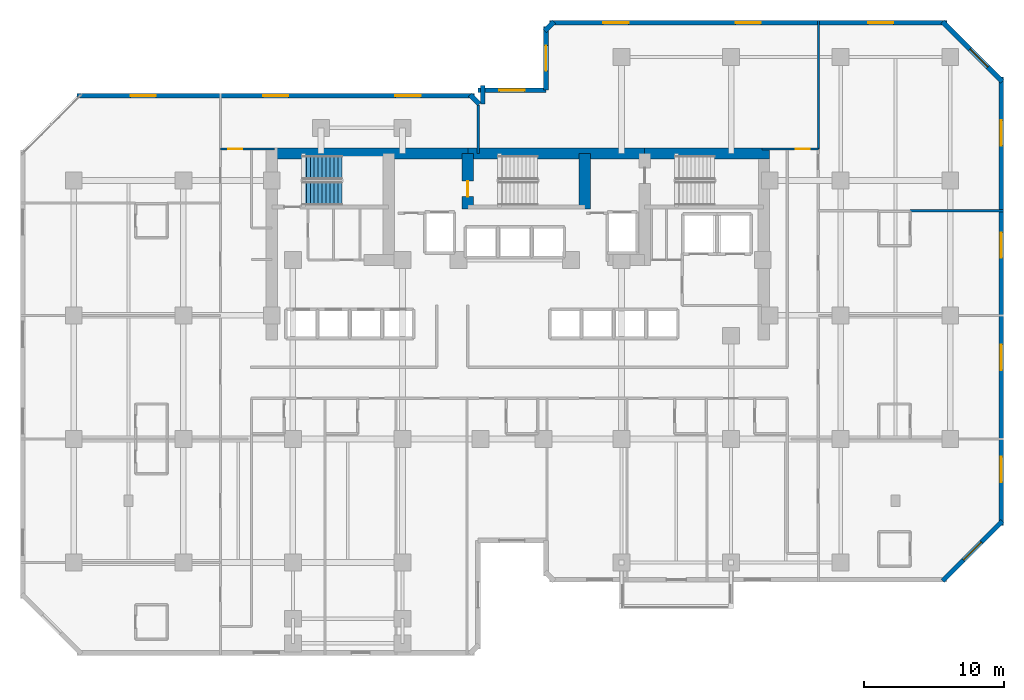
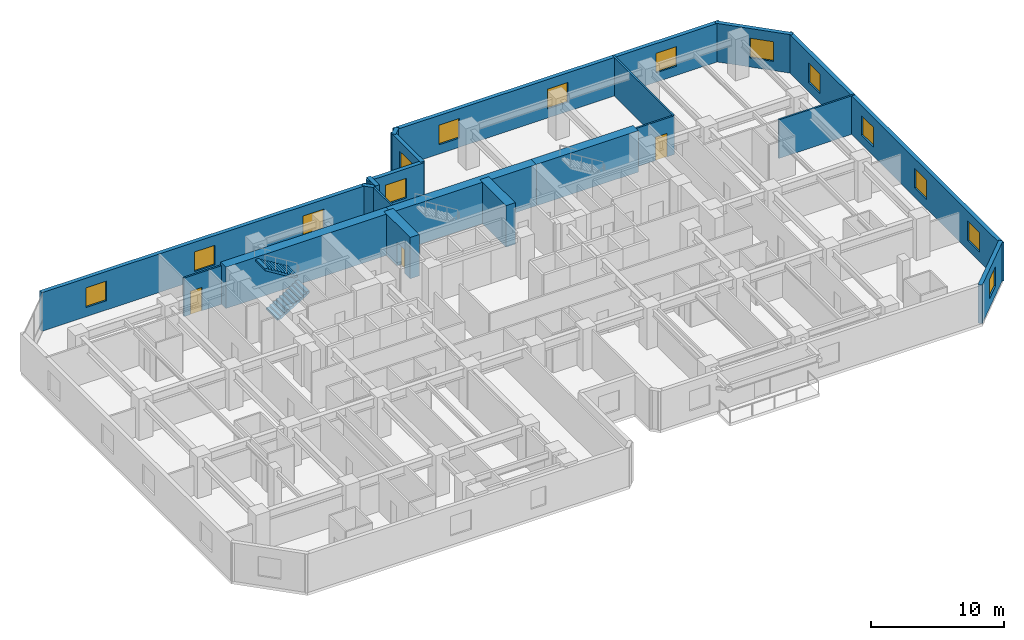
# One storey, part 9 of 12: 20 walls, 14 windows, 3 doors, 2 stair flights, 17 openings, 1 element without a shape of its own.
"""IFC4 building model written with IfcOpenShell, lengths in metres."""

import ifcopenshell
import ifcopenshell.guid

model = None  # the IFC model being written
_history = None  # IfcOwnerHistory: only IFC2X3 demands one
_inside = {}  # id of a spatial element -> (the spatial element, [elements in it])
_under = {}  # id of a project, library or spatial element -> (it, [spatial elements below it])
_declared = {}  # id of a project -> (the project, [libraries it declares])
_typed = {}  # id of a type object -> (the type object, [elements of that type])
_made_of = {}  # id of a material, layer set ... -> (it, [elements and type objects made of it])


def new_model(schema):
    """Start an empty IFC model of exactly this schema.

    Asked for "IFC4X3", IfcOpenShell would pick the latest addendum, in which some entities
    have other attributes; the version numbers below select the first issue.
    IFC2X3 requires an IfcOwnerHistory on every rooted entity: one is made here for all.
    """
    global model, _history
    if schema == "IFC4X3":
        model = ifcopenshell.file(schema_version=(4, 3, 0, 0))
    else:
        model = ifcopenshell.file(schema=schema)
    _inside.clear()
    _under.clear()
    _declared.clear()
    _typed.clear()
    _made_of.clear()
    _history = None
    if model.schema == "IFC2X3":
        org = make("IfcOrganization", Name="unknown")
        user = make(
            "IfcPersonAndOrganization",
            ThePerson=make("IfcPerson", FamilyName="unknown"),
            TheOrganization=org,
        )
        app = make(
            "IfcApplication",
            ApplicationDeveloper=org,
            Version="unknown",
            ApplicationFullName="unknown",
            ApplicationIdentifier="unknown",
        )
        _history = make(
            "IfcOwnerHistory",
            OwningUser=user,
            OwningApplication=app,
            ChangeAction="ADDED",
            CreationDate=0,
        )
    return model


def make(cls, **values):
    """One entity of the class cls with the attributes given. An attribute that is None is left unset."""
    return model.create_entity(
        cls, **{name: value for name, value in values.items() if value is not None}
    )


def rooted(cls, **values):
    """An entity with a GlobalId (a new one), such as an element, a storey or a relation."""
    return make(cls, GlobalId=ifcopenshell.guid.new(), OwnerHistory=_history, **values)


def si_unit(unit_type, name, prefix=None):
    """IfcSIUnit, for example si_unit("LENGTHUNIT", "METRE", prefix="MILLI")."""
    return make("IfcSIUnit", UnitType=unit_type, Prefix=prefix, Name=name)


def assignment(units):
    """IfcUnitAssignment: the units of a project."""
    return None if units is None else make("IfcUnitAssignment", Units=units)


def point(xyz):
    """IfcCartesianPoint."""
    return None if xyz is None else make("IfcCartesianPoint", Coordinates=xyz)


def direction(xyz):
    """IfcDirection."""
    return None if xyz is None else make("IfcDirection", DirectionRatios=xyz)


def frame(location, z_axis=None, x_axis=None):
    """IfcAxis2Placement3D, a coordinate frame: its origin and axes. An axis left out is left unset."""
    return make(
        "IfcAxis2Placement3D",
        Location=point(location),
        Axis=direction(z_axis),
        RefDirection=direction(x_axis),
    )


def frame_2d(location, x_axis=None):
    """IfcAxis2Placement2D, a coordinate frame in the plane: its origin and x axis."""
    return make(
        "IfcAxis2Placement2D", Location=point(location), RefDirection=direction(x_axis)
    )


def origin():
    """The frame at (0, 0, 0) with its axes left unset."""
    return frame((0.0, 0.0, 0.0))


def place(relative_to, where):
    """IfcLocalPlacement: puts the frame where relative to a parent placement (None: the world)."""
    return make(
        "IfcLocalPlacement", PlacementRelTo=relative_to, RelativePlacement=where
    )


def context(
    kind, dimensions, precision=None, world=None, true_north=None, identifier=None
):
    """IfcGeometricRepresentationContext, for example the 3D "Model" context."""
    return make(
        "IfcGeometricRepresentationContext",
        ContextIdentifier=identifier,
        ContextType=kind,
        CoordinateSpaceDimension=dimensions,
        Precision=precision,
        WorldCoordinateSystem=world,
        TrueNorth=true_north,
    )


def subcontext(parent, identifier, kind, view, scale=None):
    """IfcGeometricRepresentationSubContext, for example "Body" below "Model"."""
    return make(
        "IfcGeometricRepresentationSubContext",
        ContextIdentifier=identifier,
        ContextType=kind,
        ParentContext=parent,
        TargetScale=scale,
        TargetView=view,
    )


def project(units=None, contexts=None):
    """IfcProject with its units and contexts."""
    return rooted(
        "IfcProject",
        Name="project",
        RepresentationContexts=contexts,
        UnitsInContext=assignment(units),
    )


def spatial(cls, under=None, at=None, **own):
    """A site, building, storey or space (cls), placed at a placement, below another one or the project."""
    s = rooted(cls, ObjectPlacement=at, **own)
    if under is not None:
        _under.setdefault(under.id(), (under, []))[1].append(s)
    return s


def polyline(points):
    """IfcPolyline through the points."""
    return make("IfcPolyline", Points=[point(p) for p in points])


def profile(cls, at=None, kind="AREA", **sizes):
    """A parametric profile (cls). Its sizes go by their IFC names, for example OverallWidth=200.0."""
    return make(cls, ProfileType=kind, Position=at, **sizes)


def rectangle(**sizes):
    """IfcRectangleProfileDef."""
    return profile("IfcRectangleProfileDef", **sizes)


def outline(outer, holes=None, kind="AREA"):
    """IfcArbitraryClosedProfileDef: a profile drawn as a closed curve; with holes, ...WithVoids."""
    if holes is None:
        return make("IfcArbitraryClosedProfileDef", ProfileType=kind, OuterCurve=outer)
    return make(
        "IfcArbitraryProfileDefWithVoids",
        ProfileType=kind,
        OuterCurve=outer,
        InnerCurves=holes,
    )


def extrude(swept, where, along, depth):
    """IfcExtrudedAreaSolid: the profile swept, set in the frame where, extruded along a direction by depth."""
    return make(
        "IfcExtrudedAreaSolid",
        SweptArea=swept,
        Position=where,
        ExtrudedDirection=direction(along),
        Depth=depth,
    )


def shape(context_of_items, identifier, shape_type, items):
    """IfcShapeRepresentation: the items that make up one representation, for example the "Body"."""
    return make(
        "IfcShapeRepresentation",
        ContextOfItems=context_of_items,
        RepresentationIdentifier=identifier,
        RepresentationType=shape_type,
        Items=items,
    )


def material(Name=None, Category=None):
    """IfcMaterial."""
    return make("IfcMaterial", Name=Name, Category=Category)


def layer(
    of_material, thickness, ventilated=None, Name=None, Category=None, Priority=None
):
    """IfcMaterialLayer: one layer of a wall or slab, of a material (None: an air gap)."""
    return make(
        "IfcMaterialLayer",
        Material=of_material,
        LayerThickness=thickness,
        IsVentilated=ventilated,
        Name=Name,
        Category=Category,
        Priority=Priority,
    )


def layer_set(layers, Name=None):
    """IfcMaterialLayerSet."""
    return make("IfcMaterialLayerSet", MaterialLayers=layers, LayerSetName=Name)


def made_of(thing, what):
    """Note that an element or type object is made of a material, layer set ...; save() writes the relation."""
    if what is not None:
        _made_of.setdefault(what.id(), (what, []))[1].append(thing)
    return thing


def type_object(cls, material=None, **own):
    """A type object (cls), such as IfcWallType, which elements share."""
    return made_of(rooted(cls, **own), material)


def element(
    cls,
    number,
    at=None,
    inside=None,
    cuts=None,
    type_object=None,
    material=None,
    context=None,
    identifier="Body",
    shape_type=None,
    held_by="IfcProductDefinitionShape",
    body=None,
    shapes=None,
    **own,
):
    """One element of the class cls, such as IfcWall. Its Tag is "e" and its number.

    at: its placement. inside: the storey or other place that contains it. cuts: it is an
    opening in that element (IfcRelVoidsElement). A single representation is given by context,
    identifier, shape_type and body (its items); several are given by shapes. held_by: the class
    of the entity that holds the representations. save() writes the other relations.
    """
    e = rooted(cls, Tag="e%d" % number, ObjectPlacement=at, **own)
    if body is not None:
        shapes = [shape(context, identifier, shape_type, body)]
    if shapes is not None:
        e.Representation = make(held_by, Representations=shapes)
    if inside is not None:
        _inside.setdefault(inside.id(), (inside, []))[1].append(e)
    if cuts is not None:
        rooted(
            "IfcRelVoidsElement", RelatingBuildingElement=cuts, RelatedOpeningElement=e
        )
    if type_object is not None:
        _typed.setdefault(type_object.id(), (type_object, []))[1].append(e)
    return made_of(e, material)


def fill(opening, filler):
    """IfcRelFillsElement: the door or window that sits in an opening."""
    return rooted(
        "IfcRelFillsElement",
        RelatingOpeningElement=opening,
        RelatedBuildingElement=filler,
    )


def aggregate(whole, parts):
    """IfcRelAggregates: a whole, such as a stair, and the parts it consists of."""
    return rooted("IfcRelAggregates", RelatingObject=whole, RelatedObjects=parts)


def save(model, path):
    """Write the relations noted so far, then the file.

    IfcRelAggregates (storeys below a building ...), IfcRelContainedInSpatialStructure (elements
    in a storey), IfcRelDefinesByType, IfcRelAssociatesMaterial and IfcRelDeclares: one each for
    every whole, place, type object, material and project.
    """
    for whole, parts in _under.values():
        aggregate(whole, parts)
    for where, things in _inside.values():
        rooted(
            "IfcRelContainedInSpatialStructure",
            RelatedElements=things,
            RelatingStructure=where,
        )
    for kind, things in _typed.values():
        rooted("IfcRelDefinesByType", RelatedObjects=things, RelatingType=kind)
    for what, things in _made_of.values():
        rooted("IfcRelAssociatesMaterial", RelatedObjects=things, RelatingMaterial=what)
    for by, libraries in _declared.values():
        rooted("IfcRelDeclares", RelatingContext=by, RelatedDefinitions=libraries)
    model.write(path)


model = new_model("IFC4")

# Units and contexts
model_context = context("Model", 3, precision=1e-05, world=origin(), true_north=direction((0.0, 1.0)))
body_context = subcontext(model_context, "Body", "Model", "MODEL_VIEW")
ifc_project = project(units=[si_unit("LENGTHUNIT", "METRE"), si_unit("AREAUNIT", "SQUARE_METRE"), si_unit("VOLUMEUNIT", "CUBIC_METRE"), si_unit("PLANEANGLEUNIT", "RADIAN"), si_unit("MASSUNIT", "GRAM", prefix="KILO")], contexts=[model_context])

# Site, building, storey
site_placement = place(None, origin())
site = spatial("IfcSite", under=ifc_project, at=site_placement, CompositionType="ELEMENT")
building_placement = place(site_placement, origin())
building = spatial("IfcBuilding", under=site, at=building_placement, Name="Kestravale Grand Hotel", CompositionType="ELEMENT")
storey_placement = place(building_placement, frame((0.0, 0.0, 122.199951171875)))
storey = spatial("IfcBuildingStorey", under=building, at=storey_placement, Name="L30", CompositionType="ELEMENT", Elevation=122.199951171875)

# Walls
ifc_material_1 = material(Name="Concrete f'c 60 MPa", Category="concrete")
ifc_layer_1 = layer(ifc_material_1, 0.800048828125)
ifc_layer_set_1 = layer_set([ifc_layer_1], Name="EW-CORE-800")
wall_type_1 = type_object("IfcWallType", Name="EW-CORE-800", PredefinedType="SHEAR", material=ifc_layer_set_1)
wall_1_placement = place(storey_placement, frame((21.5, 40.320068359375, 0.0), z_axis=(0.0, 0.0, 1.0), x_axis=(1.0, 0.0, 0.0)))
element("IfcWall", 1, at=wall_1_placement, inside=storey, type_object=wall_type_1, Name="L30 core shear wall N1", PredefinedType="SHEAR", context=body_context, shape_type="SweptSolid", body=[
    extrude(rectangle(XDim=14.35009765625, YDim=0.800048828125, at=frame_2d((7.175048828125, 0.0))), origin(), (0.0, 0.0, 1.0), 3.800048828125),
])
wall_2_placement = place(storey_placement, frame((35.85009765625, 40.320068359375, 0.0), z_axis=(0.0, 0.0, 1.0), x_axis=(1.0, 0.0, 0.0)))
element("IfcWall", 2, at=wall_2_placement, inside=storey, type_object=wall_type_1, Name="L30 core shear wall N2", PredefinedType="SHEAR", context=body_context, shape_type="SweptSolid", body=[
    extrude(rectangle(XDim=12.599853515625, YDim=0.800048828125, at=frame_2d((6.2998046875, 0.0))), origin(), (0.0, 0.0, 1.0), 3.800048828125),
])
wall_3_placement = place(storey_placement, frame((48.449951171875, 40.320068359375, 0.0), z_axis=(0.0, 0.0, 1.0), x_axis=(1.0, 0.0, 0.0)))
element("IfcWall", 3, at=wall_3_placement, inside=storey, type_object=wall_type_1, Name="L30 core shear wall N3", PredefinedType="SHEAR", context=body_context, shape_type="SweptSolid", body=[
    extrude(rectangle(XDim=8.8701171875, YDim=0.800048828125, at=frame_2d((4.43505859375, 0.0))), origin(), (0.0, 0.0, 1.0), 3.800048828125),
])

# Wall, opening, door
wall_4_placement = place(storey_placement, frame((35.85009765625, 36.3701171875, 0.0), z_axis=(0.0, 0.0, 1.0), x_axis=(0.0, 1.0, 0.0)))
wall_4 = element("IfcWall", 4, at=wall_4_placement, inside=storey, type_object=wall_type_1, Name="L30 core shear wall X2", PredefinedType="SHEAR", context=body_context, shape_type="SweptSolid", body=[
    extrude(rectangle(XDim=3.949951171875, YDim=0.800048828125, at=frame_2d((1.97509765625, 0.0))), origin(), (0.0, 0.0, 1.0), 3.800048828125),
])
opening_1_placement = place(wall_4_placement, frame((0.8798828125, 0.0, 0.0)))
opening_1 = element("IfcOpeningElement", 5, at=opening_1_placement, cuts=wall_4, Name="Opening D-ST-1100", PredefinedType="OPENING", context=body_context, shape_type="SweptSolid", body=[
    extrude(rectangle(XDim=1.10009765625, YDim=2.14990234375, at=frame_2d((0.550048828125, 1.074951171875))), frame((0.0, 0.409912109375, 0.0), z_axis=(0.0, -1.0, 0.0), x_axis=(1.0, 0.0, 0.0)), (0.0, 0.0, 1.0), 0.820068359375),
])
ifc_material_2 = material(Name="Galvanised 90-minute fire-rated steel stair door", Category="steel")
door_type_1 = type_object("IfcDoorType", Name="D-ST-1100", OperationType="NOTDEFINED", PredefinedType="DOOR", material=ifc_material_2)
door_1_placement = place(opening_1_placement, origin())
door_1 = element("IfcDoor", 6, at=door_1_placement, inside=storey, type_object=door_type_1, Name="L30 Stair ST-2 FSAE fire door", OperationType="SINGLE_SWING_RIGHT", OverallHeight=2.14990234375, OverallWidth=1.10009765625, PredefinedType="DOOR", context=body_context, shape_type="SweptSolid", body=[
    extrude(rectangle(XDim=1.10009765625, YDim=2.14990234375, at=frame_2d((0.550048828125, 1.074951171875))), frame((0.0, 0.02490234375, 0.0), z_axis=(0.0, -1.0, 0.0), x_axis=(1.0, 0.0, 0.0)), (0.0, 0.0, 1.0), 0.050048828125),
])
fill(opening_1, door_1)

# Wall
wall_5_placement = place(storey_placement, frame((44.179931640625, 36.3701171875, 0.0), z_axis=(0.0, 0.0, 1.0), x_axis=(0.0, 1.0, 0.0)))
element("IfcWall", 7, at=wall_5_placement, inside=storey, type_object=wall_type_1, Name="L30 core shear wall X3", PredefinedType="SHEAR", context=body_context, shape_type="SweptSolid", body=[
    extrude(rectangle(XDim=3.949951171875, YDim=0.800048828125, at=frame_2d((1.97509765625, 0.0))), origin(), (0.0, 0.0, 1.0), 3.800048828125),
])

# Wall, opening, window
ifc_material_3 = material(Name="Precast concrete f'c 45 MPa", Category="concrete")
ifc_layer_2 = layer(ifc_material_3, 0.340087890625)
ifc_layer_set_2 = layer_set([ifc_layer_2], Name="EW-PREC-340")
wall_type_2 = type_object("IfcWallType", Name="EW-PREC-340", PredefinedType="SOLIDWALL", material=ifc_layer_set_2)
wall_6_placement = place(storey_placement, frame((69.651611328125, 9.891845703125, 0.0), z_axis=(0.0, 0.0, 1.0), x_axis=(0.707106781187, 0.707106781187, 0.0)))
wall_6 = element("IfcWall", 8, at=wall_6_placement, inside=storey, type_object=wall_type_2, Name="L30 fluted precast facade wall 8", PredefinedType="SOLIDWALL", context=body_context, shape_type="SweptSolid", body=[
    extrude(rectangle(XDim=6.019775390625, YDim=0.340087890625, at=frame_2d((3.009765625, 0.0))), origin(), (0.0, 0.0, 1.0), 3.5400390625),
])
opening_2_placement = place(wall_6_placement, frame((2.10986328125, 0.0, 0.85009765625)))
opening_2 = element("IfcOpeningElement", 9, at=opening_2_placement, cuts=wall_6, Name="Opening W-GUEST-1800", PredefinedType="OPENING", context=body_context, shape_type="SweptSolid", body=[
    extrude(rectangle(XDim=1.800048828125, YDim=1.800048828125, at=frame_2d((0.89990234375, 0.89990234375))), frame((0.0, 0.179931640625, 0.0), z_axis=(0.0, -1.0, 0.0), x_axis=(1.0, 0.0, 0.0)), (0.0, 0.0, 1.0), 0.360107421875),
])
ifc_material_4 = material(Name="Insulated low-E double glazing in aluminium frame", Category="aluminium")
window_type = type_object("IfcWindowType", Name="W-GUEST-1800", PartitioningType="DOUBLE_PANEL_VERTICAL", PredefinedType="WINDOW", material=ifc_material_4)
window_1_placement = place(opening_2_placement, origin())
window_1 = element("IfcWindow", 10, at=window_1_placement, inside=storey, type_object=window_type, Name="L30 exterior window 8.1", OverallHeight=1.800048828125, OverallWidth=1.800048828125, PartitioningType="SINGLE_PANEL", PredefinedType="WINDOW", context=body_context, shape_type="SweptSolid", body=[
    extrude(rectangle(XDim=1.800048828125, YDim=1.800048828125, at=frame_2d((0.89990234375, 0.89990234375))), frame((0.0, 0.030029296875, 0.0), z_axis=(0.0, -1.0, 0.0), x_axis=(1.0, 0.0, 0.0)), (0.0, 0.0, 1.0), 0.06005859375),
])
fill(opening_2, window_1)

# Wall, openings, windows
wall_7_placement = place(storey_placement, frame((73.830078125, 13.830078125, 0.0), z_axis=(0.0, 0.0, 1.0), x_axis=(0.0, 1.0, 0.0)))
wall_7 = element("IfcWall", 11, at=wall_7_placement, inside=storey, type_object=wall_type_2, Name="L30 fluted precast facade wall 9", PredefinedType="SOLIDWALL", context=body_context, shape_type="SweptSolid", body=[
    extrude(rectangle(XDim=31.93994140625, YDim=0.340087890625, at=frame_2d((15.969970703125, 0.0))), origin(), (0.0, 0.0, 1.0), 3.5400390625),
])
opening_3_placement = place(wall_7_placement, frame((3.092529296875, 0.0, 0.85009765625)))
opening_3 = element("IfcOpeningElement", 12, at=opening_3_placement, cuts=wall_7, Name="Opening W-GUEST-1800", PredefinedType="OPENING", context=body_context, shape_type="SweptSolid", body=[
    extrude(rectangle(XDim=1.800048828125, YDim=1.800048828125, at=frame_2d((0.89990234375, 0.89990234375))), frame((0.0, 0.179931640625, 0.0), z_axis=(0.0, -1.0, 0.0), x_axis=(1.0, 0.0, 0.0)), (0.0, 0.0, 1.0), 0.360107421875),
])
opening_4_placement = place(wall_7_placement, frame((11.077392578125, 0.0, 0.85009765625)))
opening_4 = element("IfcOpeningElement", 13, at=opening_4_placement, cuts=wall_7, Name="Opening W-GUEST-1800", PredefinedType="OPENING", context=body_context, shape_type="SweptSolid", body=[
    extrude(rectangle(XDim=1.800048828125, YDim=1.800048828125, at=frame_2d((0.89990234375, 0.89990234375))), frame((0.0, 0.179931640625, 0.0), z_axis=(0.0, -1.0, 0.0), x_axis=(1.0, 0.0, 0.0)), (0.0, 0.0, 1.0), 0.360107421875),
])
opening_5_placement = place(wall_7_placement, frame((19.0625, 0.0, 0.85009765625)))
opening_5 = element("IfcOpeningElement", 14, at=opening_5_placement, cuts=wall_7, Name="Opening W-GUEST-1800", PredefinedType="OPENING", context=body_context, shape_type="SweptSolid", body=[
    extrude(rectangle(XDim=1.800048828125, YDim=1.800048828125, at=frame_2d((0.89990234375, 0.89990234375))), frame((0.0, 0.179931640625, 0.0), z_axis=(0.0, -1.0, 0.0), x_axis=(1.0, 0.0, 0.0)), (0.0, 0.0, 1.0), 0.360107421875),
])
opening_6_placement = place(wall_7_placement, frame((27.047607421875, 0.0, 0.85009765625)))
opening_6 = element("IfcOpeningElement", 15, at=opening_6_placement, cuts=wall_7, Name="Opening W-GUEST-1800", PredefinedType="OPENING", context=body_context, shape_type="SweptSolid", body=[
    extrude(rectangle(XDim=1.800048828125, YDim=1.800048828125, at=frame_2d((0.89990234375, 0.89990234375))), frame((0.0, 0.179931640625, 0.0), z_axis=(0.0, -1.0, 0.0), x_axis=(1.0, 0.0, 0.0)), (0.0, 0.0, 1.0), 0.360107421875),
])
window_2_placement = place(opening_3_placement, origin())
window_2 = element("IfcWindow", 16, at=window_2_placement, inside=storey, type_object=window_type, Name="L30 exterior window 9.1", OverallHeight=1.800048828125, OverallWidth=1.800048828125, PartitioningType="SINGLE_PANEL", PredefinedType="WINDOW", context=body_context, shape_type="SweptSolid", body=[
    extrude(rectangle(XDim=1.800048828125, YDim=1.800048828125, at=frame_2d((0.89990234375, 0.89990234375))), frame((0.0, 0.030029296875, 0.0), z_axis=(0.0, -1.0, 0.0), x_axis=(1.0, 0.0, 0.0)), (0.0, 0.0, 1.0), 0.06005859375),
])
fill(opening_3, window_2)
window_3_placement = place(opening_4_placement, origin())
window_3 = element("IfcWindow", 17, at=window_3_placement, inside=storey, type_object=window_type, Name="L30 exterior window 9.2", OverallHeight=1.800048828125, OverallWidth=1.800048828125, PartitioningType="SINGLE_PANEL", PredefinedType="WINDOW", context=body_context, shape_type="SweptSolid", body=[
    extrude(rectangle(XDim=1.800048828125, YDim=1.800048828125, at=frame_2d((0.89990234375, 0.89990234375))), frame((0.0, 0.030029296875, 0.0), z_axis=(0.0, -1.0, 0.0), x_axis=(1.0, 0.0, 0.0)), (0.0, 0.0, 1.0), 0.06005859375),
])
fill(opening_4, window_3)
window_4_placement = place(opening_5_placement, origin())
window_4 = element("IfcWindow", 18, at=window_4_placement, inside=storey, type_object=window_type, Name="L30 exterior window 9.3", OverallHeight=1.800048828125, OverallWidth=1.800048828125, PartitioningType="SINGLE_PANEL", PredefinedType="WINDOW", context=body_context, shape_type="SweptSolid", body=[
    extrude(rectangle(XDim=1.800048828125, YDim=1.800048828125, at=frame_2d((0.89990234375, 0.89990234375))), frame((0.0, 0.030029296875, 0.0), z_axis=(0.0, -1.0, 0.0), x_axis=(1.0, 0.0, 0.0)), (0.0, 0.0, 1.0), 0.06005859375),
])
fill(opening_5, window_4)
window_5_placement = place(opening_6_placement, origin())
window_5 = element("IfcWindow", 19, at=window_5_placement, inside=storey, type_object=window_type, Name="L30 exterior window 9.4", OverallHeight=1.800048828125, OverallWidth=1.800048828125, PartitioningType="SINGLE_PANEL", PredefinedType="WINDOW", context=body_context, shape_type="SweptSolid", body=[
    extrude(rectangle(XDim=1.800048828125, YDim=1.800048828125, at=frame_2d((0.89990234375, 0.89990234375))), frame((0.0, 0.030029296875, 0.0), z_axis=(0.0, -1.0, 0.0), x_axis=(1.0, 0.0, 0.0)), (0.0, 0.0, 1.0), 0.06005859375),
])
fill(opening_6, window_5)

# Wall, opening, window
wall_8_placement = place(storey_placement, frame((73.908203125, 45.451416015625, 0.0), z_axis=(0.0, 0.0, 1.0), x_axis=(-0.707106781187, 0.707106781187, 0.0)))
wall_8 = element("IfcWall", 20, at=wall_8_placement, inside=storey, type_object=wall_type_2, Name="L30 fluted precast facade wall 10", PredefinedType="SOLIDWALL", context=body_context, shape_type="SweptSolid", body=[
    extrude(rectangle(XDim=6.019775390625, YDim=0.340087890625, at=frame_2d((3.009765625, 0.0))), origin(), (0.0, 0.0, 1.0), 3.5400390625),
])
opening_7_placement = place(wall_8_placement, frame((1.4599609375, 0.0, 0.85009765625)))
opening_7 = element("IfcOpeningElement", 21, at=opening_7_placement, cuts=wall_8, Name="Opening W-GUEST-1800", PredefinedType="OPENING", context=body_context, shape_type="SweptSolid", body=[
    extrude(rectangle(XDim=1.800048828125, YDim=1.800048828125, at=frame_2d((0.89990234375, 0.89990234375))), frame((0.0, 0.179931640625, 0.0), z_axis=(0.0, -1.0, 0.0), x_axis=(1.0, 0.0, 0.0)), (0.0, 0.0, 1.0), 0.360107421875),
])
window_6_placement = place(opening_7_placement, origin())
window_6 = element("IfcWindow", 22, at=window_6_placement, inside=storey, type_object=window_type, Name="L30 exterior window 10.1", OverallHeight=1.800048828125, OverallWidth=1.800048828125, PartitioningType="SINGLE_PANEL", PredefinedType="WINDOW", context=body_context, shape_type="SweptSolid", body=[
    extrude(rectangle(XDim=1.800048828125, YDim=1.800048828125, at=frame_2d((0.89990234375, 0.89990234375))), frame((0.0, 0.030029296875, 0.0), z_axis=(0.0, -1.0, 0.0), x_axis=(1.0, 0.0, 0.0)), (0.0, 0.0, 1.0), 0.06005859375),
])
fill(opening_7, window_6)

# Wall, openings, windows
wall_9_placement = place(storey_placement, frame((69.969970703125, 49.6298828125, 0.0), z_axis=(0.0, 0.0, 1.0), x_axis=(-1.0, 0.0, 0.0)))
wall_9 = element("IfcWall", 23, at=wall_9_placement, inside=storey, type_object=wall_type_2, Name="L30 fluted precast facade wall 11", PredefinedType="SOLIDWALL", context=body_context, shape_type="SweptSolid", body=[
    extrude(rectangle(XDim=28.2900390625, YDim=0.340087890625, at=frame_2d((14.14501953125, 0.0))), origin(), (0.0, 0.0, 1.0), 3.5400390625),
])
opening_8_placement = place(wall_9_placement, frame((3.81494140625, 0.0, 0.85009765625)))
opening_8 = element("IfcOpeningElement", 24, at=opening_8_placement, cuts=wall_9, Name="Opening W-GUEST-1800", PredefinedType="OPENING", context=body_context, shape_type="SweptSolid", body=[
    extrude(rectangle(XDim=1.800048828125, YDim=1.800048828125, at=frame_2d((0.89990234375, 0.89990234375))), frame((0.0, 0.179931640625, 0.0), z_axis=(0.0, -1.0, 0.0), x_axis=(1.0, 0.0, 0.0)), (0.0, 0.0, 1.0), 0.360107421875),
])
opening_9_placement = place(wall_9_placement, frame((13.2451171875, 0.0, 0.85009765625)))
opening_9 = element("IfcOpeningElement", 25, at=opening_9_placement, cuts=wall_9, Name="Opening W-GUEST-1800", PredefinedType="OPENING", context=body_context, shape_type="SweptSolid", body=[
    extrude(rectangle(XDim=1.800048828125, YDim=1.800048828125, at=frame_2d((0.89990234375, 0.89990234375))), frame((0.0, 0.179931640625, 0.0), z_axis=(0.0, -1.0, 0.0), x_axis=(1.0, 0.0, 0.0)), (0.0, 0.0, 1.0), 0.360107421875),
])
opening_10_placement = place(wall_9_placement, frame((22.675048828125, 0.0, 0.85009765625)))
opening_10 = element("IfcOpeningElement", 26, at=opening_10_placement, cuts=wall_9, Name="Opening W-GUEST-1800", PredefinedType="OPENING", context=body_context, shape_type="SweptSolid", body=[
    extrude(rectangle(XDim=1.800048828125, YDim=1.800048828125, at=frame_2d((0.89990234375, 0.89990234375))), frame((0.0, 0.179931640625, 0.0), z_axis=(0.0, -1.0, 0.0), x_axis=(1.0, 0.0, 0.0)), (0.0, 0.0, 1.0), 0.360107421875),
])
window_7_placement = place(opening_8_placement, origin())
window_7 = element("IfcWindow", 27, at=window_7_placement, inside=storey, type_object=window_type, Name="L30 exterior window 11.1", OverallHeight=1.800048828125, OverallWidth=1.800048828125, PartitioningType="SINGLE_PANEL", PredefinedType="WINDOW", context=body_context, shape_type="SweptSolid", body=[
    extrude(rectangle(XDim=1.800048828125, YDim=1.800048828125, at=frame_2d((0.89990234375, 0.89990234375))), frame((0.0, 0.030029296875, 0.0), z_axis=(0.0, -1.0, 0.0), x_axis=(1.0, 0.0, 0.0)), (0.0, 0.0, 1.0), 0.06005859375),
])
fill(opening_8, window_7)
window_8_placement = place(opening_9_placement, origin())
window_8 = element("IfcWindow", 28, at=window_8_placement, inside=storey, type_object=window_type, Name="L30 exterior window 11.2", OverallHeight=1.800048828125, OverallWidth=1.800048828125, PartitioningType="SINGLE_PANEL", PredefinedType="WINDOW", context=body_context, shape_type="SweptSolid", body=[
    extrude(rectangle(XDim=1.800048828125, YDim=1.800048828125, at=frame_2d((0.89990234375, 0.89990234375))), frame((0.0, 0.030029296875, 0.0), z_axis=(0.0, -1.0, 0.0), x_axis=(1.0, 0.0, 0.0)), (0.0, 0.0, 1.0), 0.06005859375),
])
fill(opening_9, window_8)
window_9_placement = place(opening_10_placement, origin())
window_9 = element("IfcWindow", 29, at=window_9_placement, inside=storey, type_object=window_type, Name="L30 exterior window 11.3", OverallHeight=1.800048828125, OverallWidth=1.800048828125, PartitioningType="SINGLE_PANEL", PredefinedType="WINDOW", context=body_context, shape_type="SweptSolid", body=[
    extrude(rectangle(XDim=1.800048828125, YDim=1.800048828125, at=frame_2d((0.89990234375, 0.89990234375))), frame((0.0, 0.030029296875, 0.0), z_axis=(0.0, -1.0, 0.0), x_axis=(1.0, 0.0, 0.0)), (0.0, 0.0, 1.0), 0.06005859375),
])
fill(opening_10, window_9)

# Wall
wall_10_placement = place(storey_placement, frame((41.99853515625, 49.7080078125, 0.0), z_axis=(0.0, 0.0, 1.0), x_axis=(-0.707238225886, -0.706975312048, 0.0)))
element("IfcWall", 30, at=wall_10_placement, inside=storey, type_object=wall_type_2, Name="L30 fluted precast facade wall 12", PredefinedType="SOLIDWALL", context=body_context, shape_type="SweptSolid", body=[
    extrude(rectangle(XDim=0.9287109375, YDim=0.340087890625, at=frame_2d((0.46435546875, 0.0))), origin(), (0.0, 0.0, 1.0), 3.5400390625),
])

# Wall, opening, window
wall_11_placement = place(storey_placement, frame((41.419921875, 49.3701171875, 0.0), z_axis=(0.0, 0.0, 1.0), x_axis=(0.0, -1.0, 0.0)))
wall_11 = element("IfcWall", 31, at=wall_11_placement, inside=storey, type_object=wall_type_2, Name="L30 fluted precast facade wall 13", PredefinedType="SOLIDWALL", context=body_context, shape_type="SweptSolid", body=[
    extrude(rectangle(XDim=4.5400390625, YDim=0.340087890625, at=frame_2d((2.27001953125, 0.0))), origin(), (0.0, 0.0, 1.0), 3.5400390625),
])
opening_11_placement = place(wall_11_placement, frame((1.3701171875, 0.0, 0.85009765625)))
opening_11 = element("IfcOpeningElement", 32, at=opening_11_placement, cuts=wall_11, Name="Opening W-GUEST-1800", PredefinedType="OPENING", context=body_context, shape_type="SweptSolid", body=[
    extrude(rectangle(XDim=1.800048828125, YDim=1.800048828125, at=frame_2d((0.89990234375, 0.89990234375))), frame((0.0, 0.179931640625, 0.0), z_axis=(0.0, -1.0, 0.0), x_axis=(1.0, 0.0, 0.0)), (0.0, 0.0, 1.0), 0.360107421875),
])
window_10_placement = place(opening_11_placement, origin())
window_10 = element("IfcWindow", 33, at=window_10_placement, inside=storey, type_object=window_type, Name="L30 exterior window 13.1", OverallHeight=1.800048828125, OverallWidth=1.800048828125, PartitioningType="SINGLE_PANEL", PredefinedType="WINDOW", context=body_context, shape_type="SweptSolid", body=[
    extrude(rectangle(XDim=1.800048828125, YDim=1.800048828125, at=frame_2d((0.89990234375, 0.89990234375))), frame((0.0, 0.030029296875, 0.0), z_axis=(0.0, -1.0, 0.0), x_axis=(1.0, 0.0, 0.0)), (0.0, 0.0, 1.0), 0.06005859375),
])
fill(opening_11, window_10)

wall_12_placement = place(storey_placement, frame((41.419921875, 44.830078125, 0.0), z_axis=(0.0, 0.0, 1.0), x_axis=(-1.0, 0.0, 0.0)))
wall_12 = element("IfcWall", 34, at=wall_12_placement, inside=storey, type_object=wall_type_2, Name="L30 fluted precast facade wall 14", PredefinedType="SOLIDWALL", context=body_context, shape_type="SweptSolid", body=[
    extrude(rectangle(XDim=4.83984375, YDim=0.340087890625, at=frame_2d((2.419921875, 0.0))), origin(), (0.0, 0.0, 1.0), 3.5400390625),
])
opening_12_placement = place(wall_12_placement, frame((1.52001953125, 0.0, 0.85009765625)))
opening_12 = element("IfcOpeningElement", 35, at=opening_12_placement, cuts=wall_12, Name="Opening W-GUEST-1800", PredefinedType="OPENING", context=body_context, shape_type="SweptSolid", body=[
    extrude(rectangle(XDim=1.800048828125, YDim=1.800048828125, at=frame_2d((0.89990234375, 0.89990234375))), frame((0.0, 0.179931640625, 0.0), z_axis=(0.0, -1.0, 0.0), x_axis=(1.0, 0.0, 0.0)), (0.0, 0.0, 1.0), 0.360107421875),
])
window_11_placement = place(opening_12_placement, origin())
window_11 = element("IfcWindow", 36, at=window_11_placement, inside=storey, type_object=window_type, Name="L30 exterior window 14.1", OverallHeight=1.800048828125, OverallWidth=1.800048828125, PartitioningType="SINGLE_PANEL", PredefinedType="WINDOW", context=body_context, shape_type="SweptSolid", body=[
    extrude(rectangle(XDim=1.800048828125, YDim=1.800048828125, at=frame_2d((0.89990234375, 0.89990234375))), frame((0.0, 0.030029296875, 0.0), z_axis=(0.0, -1.0, 0.0), x_axis=(1.0, 0.0, 0.0)), (0.0, 0.0, 1.0), 0.06005859375),
])
fill(opening_12, window_11)

# Walls
wall_13_placement = place(storey_placement, frame((36.919921875, 45.169921875, 0.0), z_axis=(0.0, 0.0, 1.0), x_axis=(0.0, -1.0, 0.0)))
element("IfcWall", 37, at=wall_13_placement, inside=storey, type_object=wall_type_2, Name="L30 fluted precast facade wall 15", PredefinedType="SOLIDWALL", context=body_context, shape_type="SweptSolid", body=[
    extrude(rectangle(XDim=1.33984375, YDim=0.340087890625, at=frame_2d((0.669921875, 0.0))), origin(), (0.0, 0.0, 1.0), 3.5400390625),
])
wall_14_placement = place(storey_placement, frame((36.658203125, 43.8515625, 0.0), z_axis=(0.0, 0.0, 1.0), x_axis=(-0.707238225886, 0.706975312048, 0.0)))
element("IfcWall", 38, at=wall_14_placement, inside=storey, type_object=wall_type_2, Name="L30 fluted precast facade wall 16", PredefinedType="SOLIDWALL", context=body_context, shape_type="SweptSolid", body=[
    extrude(rectangle(XDim=0.9287109375, YDim=0.340087890625, at=frame_2d((0.46435546875, 0.0))), origin(), (0.0, 0.0, 1.0), 3.5400390625),
])

# Wall, openings, windows
wall_15_placement = place(storey_placement, frame((36.320068359375, 44.429931640625, 0.0), z_axis=(0.0, 0.0, 1.0), x_axis=(-1.0, 0.0, 0.0)))
wall_15 = element("IfcWall", 39, at=wall_15_placement, inside=storey, type_object=wall_type_2, Name="L30 fluted precast facade wall 17", PredefinedType="SOLIDWALL", context=body_context, shape_type="SweptSolid", body=[
    extrude(rectangle(XDim=28.2900390625, YDim=0.340087890625, at=frame_2d((14.14501953125, 0.0))), origin(), (0.0, 0.0, 1.0), 3.5400390625),
])
opening_13_placement = place(wall_15_placement, frame((3.81494140625, 0.0, 0.85009765625)))
opening_13 = element("IfcOpeningElement", 40, at=opening_13_placement, cuts=wall_15, Name="Opening W-GUEST-1800", PredefinedType="OPENING", context=body_context, shape_type="SweptSolid", body=[
    extrude(rectangle(XDim=1.800048828125, YDim=1.800048828125, at=frame_2d((0.89990234375, 0.89990234375))), frame((0.0, 0.179931640625, 0.0), z_axis=(0.0, -1.0, 0.0), x_axis=(1.0, 0.0, 0.0)), (0.0, 0.0, 1.0), 0.360107421875),
])
opening_14_placement = place(wall_15_placement, frame((13.2451171875, 0.0, 0.85009765625)))
opening_14 = element("IfcOpeningElement", 41, at=opening_14_placement, cuts=wall_15, Name="Opening W-GUEST-1800", PredefinedType="OPENING", context=body_context, shape_type="SweptSolid", body=[
    extrude(rectangle(XDim=1.800048828125, YDim=1.800048828125, at=frame_2d((0.89990234375, 0.89990234375))), frame((0.0, 0.179931640625, 0.0), z_axis=(0.0, -1.0, 0.0), x_axis=(1.0, 0.0, 0.0)), (0.0, 0.0, 1.0), 0.360107421875),
])
opening_15_placement = place(wall_15_placement, frame((22.675048828125, 0.0, 0.85009765625)))
opening_15 = element("IfcOpeningElement", 42, at=opening_15_placement, cuts=wall_15, Name="Opening W-GUEST-1800", PredefinedType="OPENING", context=body_context, shape_type="SweptSolid", body=[
    extrude(rectangle(XDim=1.800048828125, YDim=1.800048828125, at=frame_2d((0.89990234375, 0.89990234375))), frame((0.0, 0.179931640625, 0.0), z_axis=(0.0, -1.0, 0.0), x_axis=(1.0, 0.0, 0.0)), (0.0, 0.0, 1.0), 0.360107421875),
])
window_12_placement = place(opening_13_placement, origin())
window_12 = element("IfcWindow", 43, at=window_12_placement, inside=storey, type_object=window_type, Name="L30 exterior window 17.1", OverallHeight=1.800048828125, OverallWidth=1.800048828125, PartitioningType="SINGLE_PANEL", PredefinedType="WINDOW", context=body_context, shape_type="SweptSolid", body=[
    extrude(rectangle(XDim=1.800048828125, YDim=1.800048828125, at=frame_2d((0.89990234375, 0.89990234375))), frame((0.0, 0.030029296875, 0.0), z_axis=(0.0, -1.0, 0.0), x_axis=(1.0, 0.0, 0.0)), (0.0, 0.0, 1.0), 0.06005859375),
])
fill(opening_13, window_12)
window_13_placement = place(opening_14_placement, origin())
window_13 = element("IfcWindow", 44, at=window_13_placement, inside=storey, type_object=window_type, Name="L30 exterior window 17.2", OverallHeight=1.800048828125, OverallWidth=1.800048828125, PartitioningType="SINGLE_PANEL", PredefinedType="WINDOW", context=body_context, shape_type="SweptSolid", body=[
    extrude(rectangle(XDim=1.800048828125, YDim=1.800048828125, at=frame_2d((0.89990234375, 0.89990234375))), frame((0.0, 0.030029296875, 0.0), z_axis=(0.0, -1.0, 0.0), x_axis=(1.0, 0.0, 0.0)), (0.0, 0.0, 1.0), 0.06005859375),
])
fill(opening_14, window_13)
window_14_placement = place(opening_15_placement, origin())
window_14 = element("IfcWindow", 45, at=window_14_placement, inside=storey, type_object=window_type, Name="L30 exterior window 17.3", OverallHeight=1.800048828125, OverallWidth=1.800048828125, PartitioningType="SINGLE_PANEL", PredefinedType="WINDOW", context=body_context, shape_type="SweptSolid", body=[
    extrude(rectangle(XDim=1.800048828125, YDim=1.800048828125, at=frame_2d((0.89990234375, 0.89990234375))), frame((0.0, 0.030029296875, 0.0), z_axis=(0.0, -1.0, 0.0), x_axis=(1.0, 0.0, 0.0)), (0.0, 0.0, 1.0), 0.06005859375),
])
fill(opening_15, window_14)

# Wall, opening, door
ifc_material_5 = material(Name="Double-stud STC 52 acoustic demising partition", Category="other")
ifc_layer_3 = layer(ifc_material_5, 0.14990234375)
ifc_layer_set_3 = layer_set([ifc_layer_3], Name="IW-UNIT-150")
wall_type_3 = type_object("IfcWallType", Name="IW-UNIT-150", PredefinedType="PARTITIONING", material=ifc_layer_set_3)
wall_16_placement = place(storey_placement, frame((18.239990234375, 40.64990234375, 0.0), z_axis=(0.0, 0.0, 1.0), x_axis=(1.0, 0.0, 0.0)))
wall_16 = element("IfcWall", 46, at=wall_16_placement, inside=storey, type_object=wall_type_3, Name="W-L30-SW-N", PredefinedType="PARTITIONING", context=body_context, shape_type="SweptSolid", body=[
    extrude(rectangle(XDim=3.860107421875, YDim=0.14990234375, at=frame_2d((1.93017578125, 0.0))), origin(), (0.0, 0.0, 1.0), 3.5400390625),
])
opening_16_placement = place(wall_16_placement, frame((0.550048828125, 0.0, 0.0)))
opening_16 = element("IfcOpeningElement", 47, at=opening_16_placement, cuts=wall_16, Name="Opening D-GUEST-1000", PredefinedType="OPENING", context=body_context, shape_type="SweptSolid", body=[
    extrude(rectangle(XDim=1.0, YDim=2.14990234375, at=frame_2d((0.5, 1.074951171875))), frame((0.0, 0.0849609375, 0.0), z_axis=(0.0, -1.0, 0.0), x_axis=(1.0, 0.0, 0.0)), (0.0, 0.0, 1.0), 0.169921875),
])
ifc_material_6 = material(Name="Accessible walnut veneer hotel entrance fire door", Category="wood")
door_type_2 = type_object("IfcDoorType", Name="D-GUEST-1000", OperationType="NOTDEFINED", PredefinedType="DOOR", material=ifc_material_6)
door_2_placement = place(opening_16_placement, origin())
door_2 = element("IfcDoor", 48, at=door_2_placement, inside=storey, type_object=door_type_2, Name="L30 NW Gallery Door", OperationType="SINGLE_SWING_RIGHT", OverallHeight=2.14990234375, OverallWidth=1.0, PredefinedType="DOOR", context=body_context, shape_type="SweptSolid", body=[
    extrude(rectangle(XDim=1.0, YDim=2.14990234375, at=frame_2d((0.5, 1.074951171875))), frame((0.0, 0.02490234375, 0.0), z_axis=(0.0, -1.0, 0.0), x_axis=(1.0, 0.0, 0.0)), (0.0, 0.0, 1.0), 0.050048828125),
])
fill(opening_16, door_2)

wall_17_placement = place(storey_placement, frame((56.800048828125, 40.64990234375, 0.0), z_axis=(0.0, 0.0, 1.0), x_axis=(1.0, 0.0, 0.0)))
wall_17 = element("IfcWall", 49, at=wall_17_placement, inside=storey, type_object=wall_type_3, Name="W-L30-SE-N", PredefinedType="PARTITIONING", context=body_context, shape_type="SweptSolid", body=[
    extrude(rectangle(XDim=4.010009765625, YDim=0.14990234375, at=frame_2d((2.0048828125, 0.0))), origin(), (0.0, 0.0, 1.0), 3.5400390625),
])
opening_17_placement = place(wall_17_placement, frame((2.39990234375, 0.0, 0.0)))
opening_17 = element("IfcOpeningElement", 50, at=opening_17_placement, cuts=wall_17, Name="Opening D-GUEST-1000", PredefinedType="OPENING", context=body_context, shape_type="SweptSolid", body=[
    extrude(rectangle(XDim=1.0, YDim=2.14990234375, at=frame_2d((0.5, 1.074951171875))), frame((0.0, 0.0849609375, 0.0), z_axis=(0.0, -1.0, 0.0), x_axis=(1.0, 0.0, 0.0)), (0.0, 0.0, 1.0), 0.169921875),
])
door_3_placement = place(opening_17_placement, origin())
door_3 = element("IfcDoor", 51, at=door_3_placement, inside=storey, type_object=door_type_2, Name="L30 NE Gallery Door", OperationType="SINGLE_SWING_LEFT", OverallHeight=2.14990234375, OverallWidth=1.0, PredefinedType="DOOR", context=body_context, shape_type="SweptSolid", body=[
    extrude(rectangle(XDim=1.0, YDim=2.14990234375, at=frame_2d((0.5, 1.074951171875))), frame((0.0, 0.02490234375, 0.0), z_axis=(0.0, -1.0, 0.0), x_axis=(1.0, 0.0, 0.0)), (0.0, 0.0, 1.0), 0.050048828125),
])
fill(opening_17, door_3)

# Walls
wall_18_placement = place(storey_placement, frame((36.60009765625, 40.320068359375, 0.0), z_axis=(0.0, 0.0, 1.0), x_axis=(0.0, 1.0, 0.0)))
element("IfcWall", 52, at=wall_18_placement, inside=storey, type_object=wall_type_3, Name="W-L30-NGM", PredefinedType="PARTITIONING", context=body_context, shape_type="SweptSolid", body=[
    extrude(rectangle(XDim=3.445068359375, YDim=0.14990234375, at=frame_2d((1.72265625, 0.0))), origin(), (0.0, 0.0, 1.0), 3.5400390625),
])
wall_19_placement = place(storey_placement, frame((60.81005859375, 40.64990234375, 0.0), z_axis=(0.0, 0.0, 1.0), x_axis=(0.0, 1.0, 0.0)))
element("IfcWall", 53, at=wall_19_placement, inside=storey, type_object=wall_type_3, Name="W-L30-NGE-E", PredefinedType="PARTITIONING", context=body_context, shape_type="SweptSolid", body=[
    extrude(rectangle(XDim=9.130126953125, YDim=0.14990234375, at=frame_2d((4.56494140625, 0.0))), origin(), (0.0, 0.0, 1.0), 3.5400390625),
])
wall_20_placement = place(storey_placement, frame((67.35009765625, 36.25, 0.0), z_axis=(0.0, 0.0, 1.0), x_axis=(1.0, 0.0, 0.0)))
element("IfcWall", 54, at=wall_20_placement, inside=storey, type_object=wall_type_3, Name="W-L30-EW-2", PredefinedType="PARTITIONING", context=body_context, shape_type="SweptSolid", body=[
    extrude(rectangle(XDim=6.6298828125, YDim=0.14990234375, at=frame_2d((3.31494140625, 0.0))), origin(), (0.0, 0.0, 1.0), 3.5400390625),
])

# Stair, stair flights
ifc_material_7 = material(Name="Concrete f'c 45 MPa", Category="concrete")
stair_type = type_object("IfcStairType", Name="ST-CORE-380", PredefinedType="HALF_TURN_STAIR", material=ifc_material_7)
stair_placement = place(storey_placement, origin())
stair = element("IfcStair", 55, at=stair_placement, inside=storey, type_object=stair_type, Name="L30 ST-1", PredefinedType="HALF_TURN_STAIR")
ifc_material_8 = material(Name="Concrete f'c 45 MPa", Category="concrete")
stair_flight_type = type_object("IfcStairFlightType", Name="STF-CORE-380", PredefinedType="STRAIGHT", material=ifc_material_8)
stair_flight_1_placement = place(storey_placement, frame((24.080078125, 37.489990234375, 0.0), z_axis=(0.0, 0.0, 1.0), x_axis=(1.0, 0.0, 0.0)))
stair_flight_1 = element("IfcStairFlight", 56, at=stair_flight_1_placement, type_object=stair_flight_type, Name="ST-1 flight 1", NumberOfRisers=11, NumberOfTreads=10, PredefinedType="STRAIGHT", RiserHeight=0.172727273, TreadLength=0.28, context=body_context, shape_type="SweptSolid", body=[
    extrude(outline(polyline([(0.0, 0.0), (0.0, 0.172607421875), (0.280029296875, 0.172607421875), (0.280029296875, 0.345458984375), (0.56005859375, 0.345458984375), (0.56005859375, 0.51806640625), (0.840087890625, 0.51806640625), (0.840087890625, 0.69091796875), (1.1201171875, 0.69091796875), (1.1201171875, 0.863525390625), (1.39990234375, 0.863525390625), (1.39990234375, 1.036376953125), (1.679931640625, 1.036376953125), (1.679931640625, 1.208984375), (1.9599609375, 1.208984375), (1.9599609375, 1.3818359375), (2.239990234375, 1.3818359375), (2.239990234375, 1.554443359375), (2.52001953125, 1.554443359375), (2.52001953125, 1.727294921875), (2.800048828125, 1.727294921875), (2.800048828125, 1.89990234375), (2.800048828125, 1.551025390625), (0.285400390625, 0.0), (0.0, 0.0)])), frame((0.0, 0.83984375, 0.0), z_axis=(0.0, -1.0, 0.0), x_axis=(1.0, 0.0, 0.0)), (0.0, 0.0, 1.0), 1.679931640625),
])
stair_flight_2_placement = place(storey_placement, frame((26.8798828125, 39.320068359375, 1.900146484375), z_axis=(0.0, 0.0, 1.0), x_axis=(-1.0, 0.0, 0.0)))
stair_flight_2 = element("IfcStairFlight", 57, at=stair_flight_2_placement, type_object=stair_flight_type, Name="ST-1 flight 2", NumberOfRisers=11, NumberOfTreads=10, PredefinedType="STRAIGHT", RiserHeight=0.172727273, TreadLength=0.28, context=body_context, shape_type="SweptSolid", body=[
    extrude(outline(polyline([(0.0, 0.0), (0.0, 0.172607421875), (0.280029296875, 0.172607421875), (0.280029296875, 0.345458984375), (0.56005859375, 0.345458984375), (0.56005859375, 0.51806640625), (0.840087890625, 0.51806640625), (0.840087890625, 0.69091796875), (1.1201171875, 0.69091796875), (1.1201171875, 0.863525390625), (1.39990234375, 0.863525390625), (1.39990234375, 1.036376953125), (1.679931640625, 1.036376953125), (1.679931640625, 1.208984375), (1.9599609375, 1.208984375), (1.9599609375, 1.3818359375), (2.239990234375, 1.3818359375), (2.239990234375, 1.554443359375), (2.52001953125, 1.554443359375), (2.52001953125, 1.727294921875), (2.800048828125, 1.727294921875), (2.800048828125, 1.89990234375), (2.800048828125, 1.551025390625), (0.285400390625, 0.0), (0.0, 0.0)])), frame((0.0, 0.83984375, 0.0), z_axis=(0.0, -1.0, 0.0), x_axis=(1.0, 0.0, 0.0)), (0.0, 0.0, 1.0), 1.679931640625),
])
aggregate(stair, [stair_flight_1, stair_flight_2])

save(model, "model.ifc")
